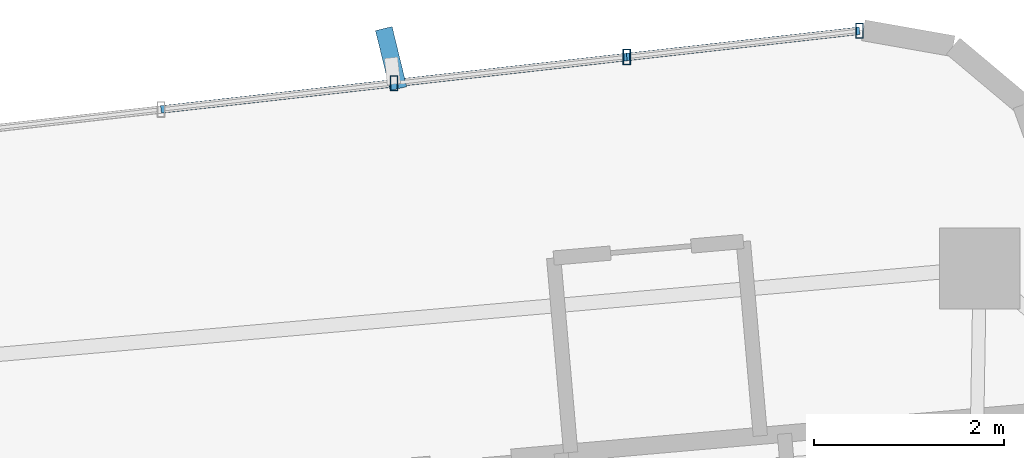
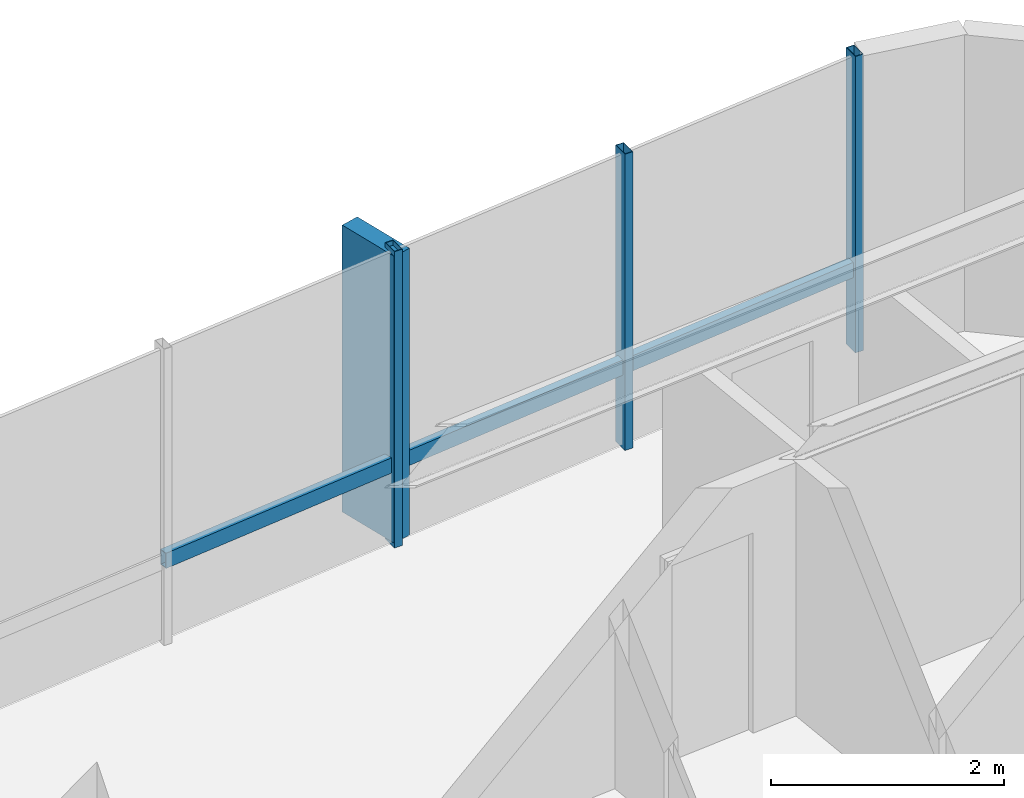
# One storey, part 18 of 24: 7 members, 1 element without a shape of its own.
"""IFC4 building model written with IfcOpenShell, lengths in metres."""

from ifc_helpers import new_model, si_unit, direction, frame, origin, origin_2d, place, context, subcontext, project, spatial, rectangle, hollow_rectangle, extrude, source, transform, mapped, material, material_profile, profile_set, type_object, element, aggregate, save


model = new_model("IFC4")

# Units and contexts
model_context = context("Model", 3, precision=1e-05, world=origin(), true_north=direction((0.0, 1.0)))
body_context = subcontext(model_context, "Body", "Model", "MODEL_VIEW")
ifc_project = project(units=[si_unit("LENGTHUNIT", "METRE"), si_unit("AREAUNIT", "SQUARE_METRE"), si_unit("VOLUMEUNIT", "CUBIC_METRE"), si_unit("PLANEANGLEUNIT", "RADIAN"), si_unit("MASSUNIT", "GRAM", prefix="KILO")], contexts=[model_context])

# Site, building, storey
site_placement = place(None, origin())
site = spatial("IfcSite", under=ifc_project, at=site_placement, CompositionType="ELEMENT")
building_placement = place(site_placement, origin())
building = spatial("IfcBuilding", under=site, at=building_placement, Name="Sahyath Konkavel Grand Hotel", CompositionType="ELEMENT")
storey_placement = place(building_placement, frame((0.0, 0.0, 181.89990234375)))
storey = spatial("IfcBuildingStorey", under=building, at=storey_placement, Name="L50", CompositionType="ELEMENT", Elevation=181.89990234375)

# Curtain wall, members
ifc_material_1 = material(Name="Anodised Bronze Aluminium & Low-E Glazing", Category="aluminium")
curtain_wall_type = type_object("IfcCurtainWallType", Name="CW-ZONE3", PredefinedType="NOTDEFINED", material=ifc_material_1)
curtain_wall_placement = place(storey_placement, origin())
curtain_wall = element("IfcCurtainWall", 1, at=curtain_wall_placement, inside=storey, type_object=curtain_wall_type, Name="L50 Unitised Curtain Wall F12", PredefinedType="NOTDEFINED")
ifc_material_2 = material(Name="Warm Buff Sandstone Cladding on Concrete C50/60", Category="masonry")
ifc_material_profile_1 = material_profile(ifc_material_2, rectangle(XDim=0.179931640625, YDim=0.64990234375, at=origin_2d()), Name="FIN 180x650")
ifc_profile_set_1 = profile_set([ifc_material_profile_1], Name="Warm Buff Sandstone Cladding on Concrete C50/60")
member_type_1 = type_object("IfcMemberType", Name="FIN-SANDSTONE-650", PredefinedType="MULLION", material=ifc_profile_set_1)
shared_shape_1 = source(origin(), body_context, "Body", "SweptSolid", [
    extrude(rectangle(XDim=0.179931640625, YDim=0.64990234375, at=origin_2d()), origin(), (0.0, 0.0, 1.0), 3.010009765625),
])
member_1_placement = place(storey_placement, frame((-2.248291015625, 20.3173828125, 0.050048828125), z_axis=(0.0, 0.0, 1.0), x_axis=(0.971590441254, 0.236668575149, 0.0)))
member_1 = element("IfcMember", 2, at=member_1_placement, type_object=member_type_1, Name="L50 Sandstone Vertical Solar Fin FIN F12-2", PredefinedType="MULLION", context=body_context, shape_type="MappedRepresentation", body=[
    mapped(shared_shape_1, transform((0.0, 0.0, 0.0), scale=1.0)),
])
ifc_material_3 = material(Name="Anodised Bronze Aluminium", Category="aluminium")
ifc_material_profile_2 = material_profile(ifc_material_3, hollow_rectangle(XDim=0.080078125, YDim=0.159912109375, WallThickness=0.006103515625, at=origin_2d()), Name="RHS 160x80x6")
ifc_profile_set_2 = profile_set([ifc_material_profile_2], Name="Anodised Bronze Aluminium")
member_type_2 = type_object("IfcMemberType", Name="CW-MUL-160", PredefinedType="MULLION", material=ifc_profile_set_2)
shared_shape_2 = source(origin(), body_context, "Body", "SweptSolid", [
    extrude(hollow_rectangle(XDim=0.080078125, YDim=0.159912109375, WallThickness=0.006103515625, at=origin_2d()), origin(), (0.0, 0.0, 1.0), 3.110107421875),
])
member_2_placement = place(storey_placement, frame((2.673828125, 20.610595703125, 0.0), z_axis=(0.0, 0.0, 1.0), x_axis=(1.0, 0.0, 0.0)))
member_2 = element("IfcMember", 3, at=member_2_placement, type_object=member_type_2, Name="L50 Curtain Wall Mullion F12-0", PredefinedType="MULLION", context=body_context, shape_type="MappedRepresentation", body=[
    mapped(shared_shape_2, transform((0.0, 0.0, 0.0), scale=1.0)),
])
member_3_placement = place(storey_placement, frame((0.227294921875, 20.334716796875, 0.0), z_axis=(0.0, 0.0, 1.0), x_axis=(1.0, 0.0, 0.0)))
member_3 = element("IfcMember", 4, at=member_3_placement, type_object=member_type_2, Name="L50 Curtain Wall Mullion F12-1", PredefinedType="MULLION", context=body_context, shape_type="MappedRepresentation", body=[
    mapped(shared_shape_2, transform((0.0, 0.0, 0.0), scale=1.0)),
])
member_4_placement = place(storey_placement, frame((-2.21923828125, 20.05908203125, 0.0), z_axis=(0.0, 0.0, 1.0), x_axis=(1.0, 0.0, 0.0)))
member_4 = element("IfcMember", 5, at=member_4_placement, type_object=member_type_2, Name="L50 Curtain Wall Mullion F12-2", PredefinedType="MULLION", context=body_context, shape_type="MappedRepresentation", body=[
    mapped(shared_shape_2, transform((0.0, 0.0, 0.0), scale=1.0)),
])
ifc_material_profile_3 = material_profile(ifc_material_3, hollow_rectangle(XDim=0.080078125, YDim=0.159912109375, WallThickness=0.006103515625, at=origin_2d()), Name="RHS 160x80x6")
ifc_profile_set_3 = profile_set([ifc_material_profile_3], Name="Anodised Bronze Aluminium")
member_type_3 = type_object("IfcMemberType", Name="CW-TRN-160", PredefinedType="USERDEFINED", material=ifc_profile_set_3)
shared_shape_3 = source(origin(), body_context, "Body", "SweptSolid", [
    extrude(hollow_rectangle(XDim=0.080078125, YDim=0.159912109375, WallThickness=0.006103515625, at=origin_2d()), origin(), (0.0, 0.0, 1.0), 2.462158203125),
])
member_5_placement = place(storey_placement, frame((2.673828125, 20.610595703125, 0.85009765625), z_axis=(-0.99370222711, -0.112053040279, 0.0), x_axis=(0.112053040279, -0.99370222711, 0.0)))
member_5 = element("IfcMember", 6, at=member_5_placement, type_object=member_type_3, Name="L50 Curtain Wall Transom F12-0-spandrel", ObjectType="TRANSOM", PredefinedType="USERDEFINED", context=body_context, shape_type="MappedRepresentation", body=[
    mapped(shared_shape_3, transform((0.0, 0.0, 0.0), scale=1.0)),
])
member_6_placement = place(storey_placement, frame((-2.21923828125, 20.05908203125, 0.85009765625), z_axis=(-0.99370222711, -0.112053040279, 0.0), x_axis=(0.112053040279, -0.99370222711, 0.0)))
member_6 = element("IfcMember", 7, at=member_6_placement, type_object=member_type_3, Name="L50 Curtain Wall Transom F12-2-spandrel", ObjectType="TRANSOM", PredefinedType="USERDEFINED", context=body_context, shape_type="MappedRepresentation", body=[
    mapped(shared_shape_3, transform((0.0, 0.0, 0.0), scale=1.0)),
])
shared_shape_4 = source(origin(), body_context, "Body", "SweptSolid", [
    extrude(hollow_rectangle(XDim=0.080078125, YDim=0.159912109375, WallThickness=0.006103515625, at=origin_2d()), origin(), (0.0, 0.0, 1.0), 2.4619140625),
])
member_7_placement = place(storey_placement, frame((0.227294921875, 20.334716796875, 0.85009765625), z_axis=(-0.993713263833, -0.111955121731, 0.0), x_axis=(0.111955121731, -0.993713263833, 0.0)))
member_7 = element("IfcMember", 8, at=member_7_placement, type_object=member_type_3, Name="L50 Curtain Wall Transom F12-1-spandrel", ObjectType="TRANSOM", PredefinedType="USERDEFINED", context=body_context, shape_type="MappedRepresentation", body=[
    mapped(shared_shape_4, transform((0.0, 0.0, 0.0), scale=1.0)),
])
aggregate(curtain_wall, [member_2, member_3, member_4, member_1, member_5, member_7, member_6])

save(model, "model.ifc")
